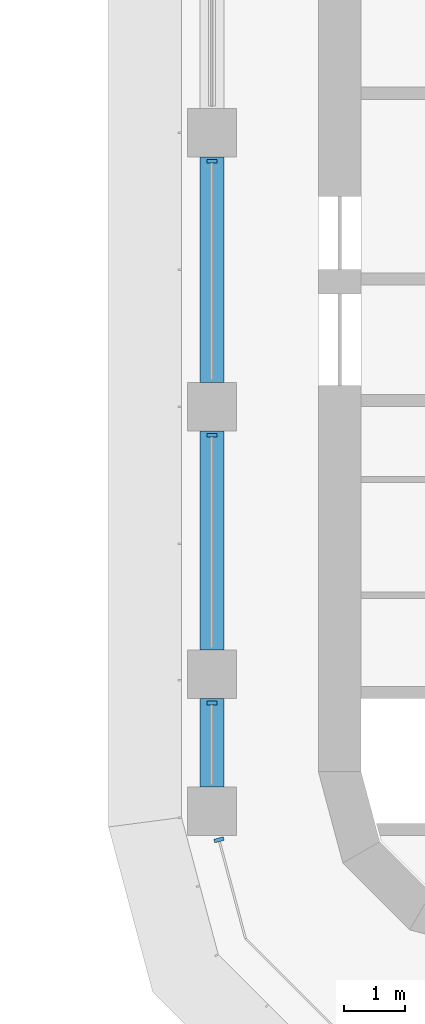
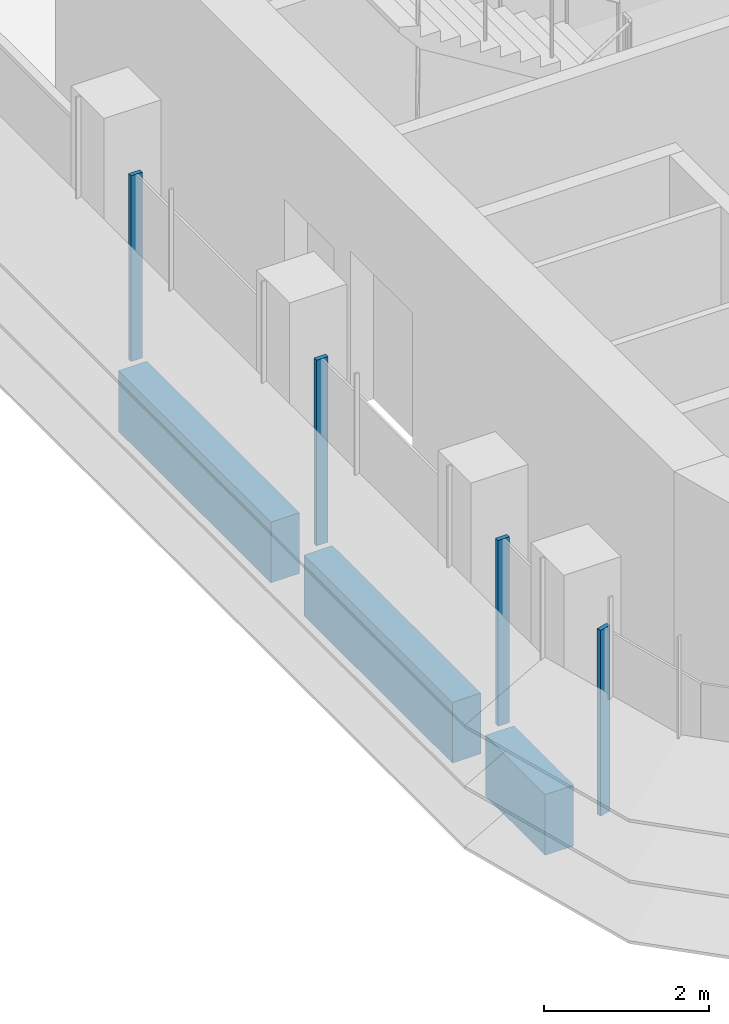
# One storey, part 2 of 19: 4 members, 3 beams, 2 elements without a shape of their own.
"""IFC4 building model written with IfcOpenShell, lengths in metres."""

from ifc_helpers import new_model, si_unit, direction, frame, origin, origin_2d, place, context, subcontext, project, spatial, polyline, rectangle, outline, extrude, source, transform, mapped, material, material_profile, profile_set, type_object, element, aggregate, save


model = new_model("IFC4")

# Units and contexts
model_context = context("Model", 3, precision=1e-05, world=origin(), true_north=direction((0.0, 1.0)))
body_context = subcontext(model_context, "Body", "Model", "MODEL_VIEW")
ifc_project = project(units=[si_unit("LENGTHUNIT", "METRE"), si_unit("AREAUNIT", "SQUARE_METRE"), si_unit("VOLUMEUNIT", "CUBIC_METRE"), si_unit("PLANEANGLEUNIT", "RADIAN"), si_unit("MASSUNIT", "GRAM", prefix="KILO")], contexts=[model_context])

# Site, building, storey
site_placement = place(None, origin())
site = spatial("IfcSite", under=ifc_project, at=site_placement, CompositionType="ELEMENT")
building_placement = place(site_placement, origin())
building = spatial("IfcBuilding", under=site, at=building_placement, Name="Zarbagh Exchange Tower", CompositionType="ELEMENT")
storey_placement = place(building_placement, frame((0.0, 0.0, 175.199951171875)))
storey = spatial("IfcBuildingStorey", under=building, at=storey_placement, Name="L42", CompositionType="ELEMENT", Elevation=175.199951171875)

# Beams
ifc_material_1 = material(Name="Concrete C50/60", Category="concrete")
ifc_material_profile = material_profile(ifc_material_1, rectangle(XDim=0.39990234375, YDim=0.89990234375, at=origin_2d()), Name="RC spandrel beam 400 x 900 C50/60")
ifc_profile_set = profile_set([ifc_material_profile], Name="Concrete C50/60")
beam_type = type_object("IfcBeamType", Name="RC spandrel beam 400 x 900 C50/60", PredefinedType="SPANDREL", material=ifc_profile_set)
beam_1_placement = place(storey_placement, frame((-6.25, -26.5, -0.599853515625), z_axis=(0.0, 1.0, 0.0), x_axis=(-1.0, 0.0, 0.0)))
element("IfcBeam", 1, at=beam_1_placement, inside=storey, type_object=beam_type, Name="RC spandrel beam", PredefinedType="SPANDREL", context=body_context, shape_type="SweptSolid", body=[
    extrude(rectangle(XDim=0.39990234375, YDim=0.89990234375, at=origin_2d()), origin(), (0.0, 0.0, 1.0), 1.449951171875),
])
beam_2_placement = place(storey_placement, frame((-6.25, -24.25, -0.599853515625), z_axis=(0.0, 1.0, 0.0), x_axis=(-1.0, 0.0, 0.0)))
element("IfcBeam", 2, at=beam_2_placement, inside=storey, type_object=beam_type, Name="RC spandrel beam", PredefinedType="SPANDREL", context=body_context, shape_type="SweptSolid", body=[
    extrude(rectangle(XDim=0.39990234375, YDim=0.89990234375, at=origin_2d()), origin(), (0.0, 0.0, 1.0), 3.60009765625),
])
beam_3_placement = place(storey_placement, frame((-6.25, -19.85009765625, -0.599853515625), z_axis=(0.0, 1.0, 0.0), x_axis=(-1.0, 0.0, 0.0)))
element("IfcBeam", 3, at=beam_3_placement, inside=storey, type_object=beam_type, Name="RC spandrel beam", PredefinedType="SPANDREL", context=body_context, shape_type="SweptSolid", body=[
    extrude(rectangle(XDim=0.39990234375, YDim=0.89990234375, at=origin_2d()), origin(), (0.0, 0.0, 1.0), 3.7001953125),
])

# Curtain wall, members
ifc_material_2 = material(Name="Anodised aluminium frame and glazing", Category="aluminium")
curtain_wall_type = type_object("IfcCurtainWallType", Name="CWB Ribbon glazing, upper zones", PredefinedType="NOTDEFINED", material=ifc_material_2)
curtain_wall_1_placement = place(storey_placement, origin())
curtain_wall_1 = element("IfcCurtainWall", 4, at=curtain_wall_1_placement, inside=storey, type_object=curtain_wall_type, Name="CWB53 curtain wall", PredefinedType="NOTDEFINED")
ifc_material_3 = material(Name="Anodised aluminium frame", Category="aluminium")
member_type = type_object("IfcMemberType", Name="MUB Mullion, anodised aluminium frame", PredefinedType="MULLION", material=ifc_material_3)
shared_shape = source(origin(), body_context, "Body", "SweptSolid", [
    extrude(outline(polyline([(0.0, -0.080078125), (0.06005859375, -0.080078125), (0.06005859375, 0.080078125), (0.0, 0.080078125), (0.0, -0.080078125)])), origin(), (0.0, 0.0, 1.0), 2.75),
])
placement = place(storey_placement, origin())
member_1 = element("IfcMember", 5, at=placement, type_object=member_type, Name="CWB53 mullion 2.1", PredefinedType="MULLION", context=body_context, shape_type="MappedRepresentation", body=[
    mapped(shared_shape, transform((-6.25, -16.18994140625, 0.0), x_axis=(0.0, -1.0, 0.0), y_axis=(1.0, 0.0, 0.0), z_axis=(0.0, 0.0, 1.0))),
])
member_2 = element("IfcMember", 6, at=placement, type_object=member_type, Name="CWB53 mullion 3.1", PredefinedType="MULLION", context=body_context, shape_type="MappedRepresentation", body=[
    mapped(shared_shape, transform((-6.25, -20.68994140625, 0.0), x_axis=(0.0, -1.0, 0.0), y_axis=(1.0, 0.0, 0.0), z_axis=(0.0, 0.0, 1.0))),
])
member_3 = element("IfcMember", 7, at=placement, type_object=member_type, Name="CWB53 mullion 4.1", PredefinedType="MULLION", context=body_context, shape_type="MappedRepresentation", body=[
    mapped(shared_shape, transform((-6.25, -25.090087890625, 0.0), x_axis=(0.0, -1.0, 0.0), y_axis=(1.0, 0.0, 0.0), z_axis=(0.0, 0.0, 1.0))),
])
aggregate(curtain_wall_1, [member_1, member_2, member_3])

# Curtain wall, member
curtain_wall_2_placement = place(storey_placement, origin())
curtain_wall_2 = element("IfcCurtainWall", 8, at=curtain_wall_2_placement, inside=storey, type_object=curtain_wall_type, Name="CWB54 curtain wall", PredefinedType="NOTDEFINED")
member_4 = element("IfcMember", 9, at=placement, type_object=member_type, Name="CWB54 mullion 1.1", PredefinedType="MULLION", context=body_context, shape_type="MappedRepresentation", body=[
    mapped(shared_shape, transform((-6.141357421875, -27.33984375, 0.0), x_axis=(0.258824779902, -0.965924289636, 0.0), y_axis=(0.965924289636, 0.258824779902, 0.0), z_axis=(0.0, 0.0, 1.0))),
])
aggregate(curtain_wall_2, [member_4])

save(model, "model.ifc")
